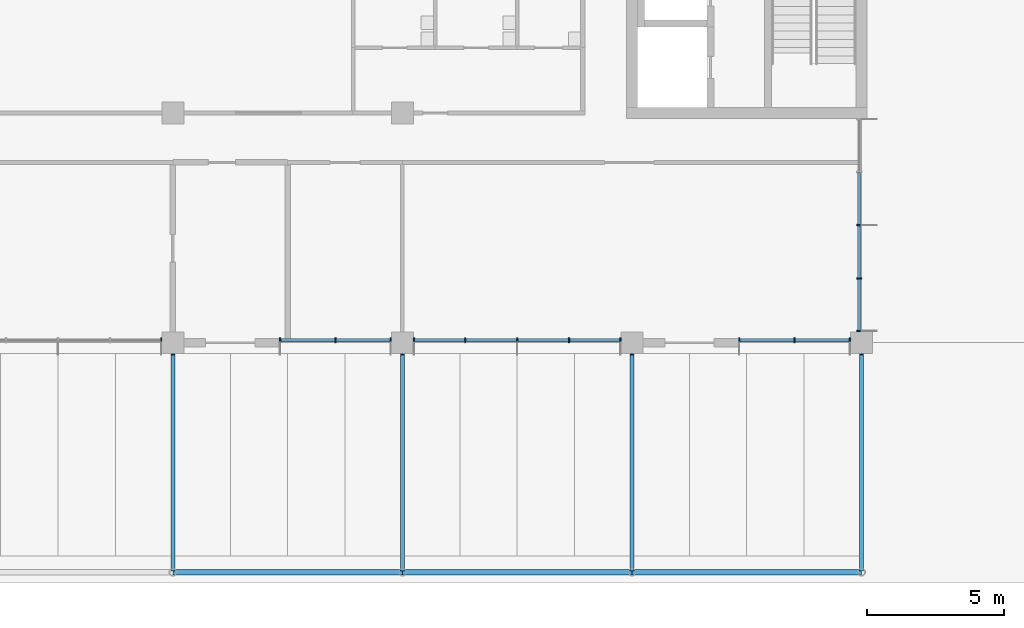
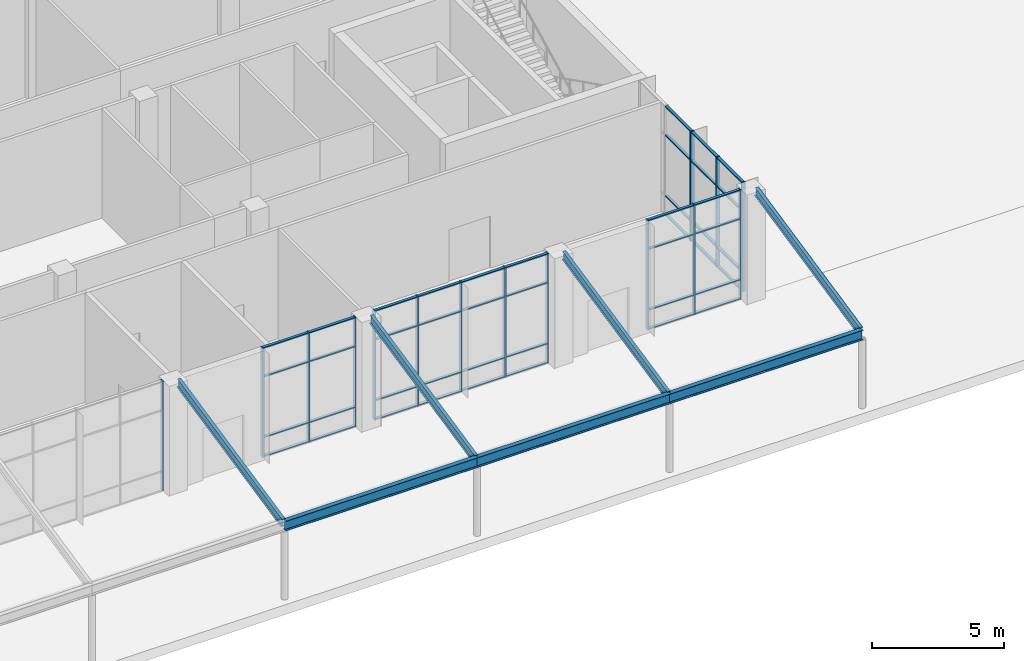
# One storey, part 16 of 76: 59 members, 7 beams, 5 elements without a shape of their own.
"""IFC4 building model written with IfcOpenShell, lengths in metres."""

from ifc_helpers import new_model, si_unit, direction, frame, origin, origin_2d, place, context, subcontext, project, spatial, rectangle, i_section, extrude, material, material_profile, profile_set, type_object, element, aggregate, save


model = new_model("IFC4")

# Units and contexts
model_context = context("Model", 3, precision=1e-05, world=origin(), true_north=direction((0.0, 1.0)))
body_context = subcontext(model_context, "Body", "Model", "MODEL_VIEW")
ifc_project = project(units=[si_unit("LENGTHUNIT", "METRE"), si_unit("AREAUNIT", "SQUARE_METRE"), si_unit("VOLUMEUNIT", "CUBIC_METRE"), si_unit("PLANEANGLEUNIT", "RADIAN"), si_unit("MASSUNIT", "GRAM", prefix="KILO")], contexts=[model_context])

# Site, building, storey
site_placement = place(None, origin())
site = spatial("IfcSite", under=ifc_project, at=site_placement, CompositionType="ELEMENT")
building_placement = place(site_placement, origin())
building = spatial("IfcBuilding", under=site, at=building_placement, Name="Hlaing Beacon Police Headquarters", CompositionType="ELEMENT")
storey_placement = place(building_placement, origin())
storey = spatial("IfcBuildingStorey", under=building, at=storey_placement, Name="L00", CompositionType="ELEMENT", Elevation=0.0)

# Beams
ifc_material_1 = material(Name="Steel ASTM A992 Grade 50", Category="steel")
ifc_material_profile_1 = material_profile(ifc_material_1, i_section(OverallWidth=0.1904296875, OverallDepth=0.457275390625, WebThickness=0.009033203125, FlangeThickness=0.014404296875, FilletRadius=0.01025390625, at=origin_2d()), Name="W18x50")
ifc_profile_set_1 = profile_set([ifc_material_profile_1], Name="Steel ASTM A992 Grade 50")
beam_type_1 = type_object("IfcBeamType", Name="Colonnade head beam W18x50", PredefinedType="BEAM", material=ifc_profile_set_1)
for number, where, z_axis, x_axis, name in (
    (1, (33.60009765625, 0.0, 3.371337890625), (1.0, 0.0, 0.0), (0.0, 1.0, 0.0), "STR-CL-CL1-HB04"),
    (2, (42.0, 0.0, 3.371337890625), (1.0, 0.0, 0.0), (0.0, 1.0, 0.0), "STR-CL-CL1-HB05"),
):
    element("IfcBeam", number, at=place(storey_placement, frame(where, z_axis=z_axis, x_axis=x_axis)), inside=storey, type_object=beam_type_1, Name=name, PredefinedType="BEAM", context=body_context, shape_type="SweptSolid", body=[
        extrude(i_section(OverallWidth=0.1904296875, OverallDepth=0.457275390625, WebThickness=0.009033203125, FlangeThickness=0.014404296875, FilletRadius=0.01025390625, at=origin_2d()), origin(), (0.0, 0.0, 1.0), 8.39990234375),
    ])
beam_placement = place(storey_placement, frame((50.39990234375, 0.0, 3.371337890625), z_axis=(1.0, 0.0, 0.0), x_axis=(0.0, 1.0, 0.0)))
element("IfcBeam", 3, at=beam_placement, inside=storey, type_object=beam_type_1, Name="STR-CL-CL1-HB06", PredefinedType="BEAM", context=body_context, shape_type="SweptSolid", body=[
    extrude(i_section(OverallWidth=0.1904296875, OverallDepth=0.457275390625, WebThickness=0.009033203125, FlangeThickness=0.014404296875, FilletRadius=0.01025390625, at=origin_2d()), origin(), (0.0, 0.0, 1.0), 8.400146484375),
])
ifc_material_2 = material(Name="Steel ASTM A992 Grade 50", Category="steel")
ifc_material_profile_2 = material_profile(ifc_material_2, i_section(OverallWidth=0.140380859375, OverallDepth=0.40380859375, WebThickness=0.007080078125, FlangeThickness=0.01123046875, FilletRadius=0.01025390625, at=origin_2d()), Name="W16x31")
ifc_profile_set_2 = profile_set([ifc_material_profile_2], Name="Steel ASTM A992 Grade 50")
beam_type_2 = type_object("IfcBeamType", Name="Colonnade rafter W16x31", PredefinedType="BEAM", material=ifc_profile_set_2)
for number, where, z_axis, x_axis, name in (
    (4, (33.60009765625, 0.09521484375, 3.413818359375), (0.0, 0.97779711045, 0.209553837464), (-1.0, 0.0, 0.0), "STR-CL-CL1-RF04"),
    (5, (42.0, 0.09521484375, 3.413818359375), (0.0, 0.97779711045, 0.209553837464), (-1.0, 0.0, 0.0), "STR-CL-CL1-RF05"),
    (6, (50.39990234375, 0.09521484375, 3.413818359375), (0.0, 0.97779711045, 0.209553837464), (-1.0, 0.0, 0.0), "STR-CL-CL1-RF06"),
    (7, (58.800048828125, 0.09521484375, 3.413818359375), (0.0, 0.97779711045, 0.209553837464), (-1.0, 0.0, 0.0), "STR-CL-CL1-RF07"),
):
    element("IfcBeam", number, at=place(storey_placement, frame(where, z_axis=z_axis, x_axis=x_axis)), inside=storey, type_object=beam_type_2, Name=name, PredefinedType="BEAM", context=body_context, shape_type="SweptSolid", body=[
        extrude(i_section(OverallWidth=0.140380859375, OverallDepth=0.40380859375, WebThickness=0.007080078125, FlangeThickness=0.01123046875, FilletRadius=0.01025390625, at=origin_2d()), origin(), (0.0, 0.0, 1.0), 8.084228515625),
    ])

# Curtain wall, members
ifc_material_3 = material(Name="Aluminium frame with solar control glazing", Category="aluminium")
curtain_wall_type_1 = type_object("IfcCurtainWallType", Name="Shopfront glazing 7.80 x 5.05", PredefinedType="NOTDEFINED", material=ifc_material_3)
curtain_wall_1_placement = place(storey_placement, origin())
curtain_wall_1 = element("IfcCurtainWall", 8, at=curtain_wall_1_placement, inside=storey, type_object=curtain_wall_type_1, Name="ENV-CW-L00-E001", PredefinedType="NOTDEFINED")
ifc_material_4 = material(Name="Aluminium", Category="aluminium")
ifc_material_profile_3 = material_profile(ifc_material_4, rectangle(XDim=0.179931640625, YDim=0.050048828125, at=origin_2d()), Name="Mullion 50x180")
ifc_profile_set_3 = profile_set([ifc_material_profile_3], Name="Aluminium")
member_type_1 = type_object("IfcMemberType", Name="Mullion 50x180", PredefinedType="MULLION", material=ifc_profile_set_3)
member_1_placement = place(storey_placement, frame((58.7099609375, 8.824951171875, 0.0), z_axis=(0.0, 0.0, 1.0), x_axis=(-1.0, 0.0, 0.0)))
member_1 = element("IfcMember", 9, at=member_1_placement, type_object=member_type_1, Name="CW-L00-E001 mullion 1", PredefinedType="MULLION", context=body_context, shape_type="SweptSolid", body=[
    extrude(rectangle(XDim=0.179931640625, YDim=0.050048828125, at=origin_2d()), origin(), (0.0, 0.0, 1.0), 5.050048828125),
])
member_2_placement = place(storey_placement, frame((58.7099609375, 10.75, 0.0), z_axis=(0.0, 0.0, 1.0), x_axis=(-1.0, 0.0, 0.0)))
member_2 = element("IfcMember", 10, at=member_2_placement, type_object=member_type_1, Name="CW-L00-E001 mullion 2", PredefinedType="MULLION", context=body_context, shape_type="SweptSolid", body=[
    extrude(rectangle(XDim=0.179931640625, YDim=0.050048828125, at=origin_2d()), origin(), (0.0, 0.0, 1.0), 5.050048828125),
])
member_3_placement = place(storey_placement, frame((58.7099609375, 12.699951171875, 0.0), z_axis=(0.0, 0.0, 1.0), x_axis=(-1.0, 0.0, 0.0)))
member_3 = element("IfcMember", 11, at=member_3_placement, type_object=member_type_1, Name="CW-L00-E001 mullion 3", PredefinedType="MULLION", context=body_context, shape_type="SweptSolid", body=[
    extrude(rectangle(XDim=0.179931640625, YDim=0.050048828125, at=origin_2d()), origin(), (0.0, 0.0, 1.0), 5.050048828125),
])

# Curtain wall, member
ifc_material_5 = material(Name="Aluminium frame with solar control glazing", Category="aluminium")
curtain_wall_type_2 = type_object("IfcCurtainWallType", Name="Shopfront glazing 7.60 x 5.05", PredefinedType="NOTDEFINED", material=ifc_material_5)
curtain_wall_2_placement = place(storey_placement, origin())
curtain_wall_2 = element("IfcCurtainWall", 12, at=curtain_wall_2_placement, inside=storey, type_object=curtain_wall_type_2, Name="ENV-CW-L00-S005", PredefinedType="NOTDEFINED")
member_4_placement = place(storey_placement, frame((33.175048828125, 8.489990234375, 0.0), z_axis=(0.0, 0.0, 1.0), x_axis=(0.0, 1.0, 0.0)))
member_4 = element("IfcMember", 13, at=member_4_placement, type_object=member_type_1, Name="CW-L00-S005 mullion 5", PredefinedType="MULLION", context=body_context, shape_type="SweptSolid", body=[
    extrude(rectangle(XDim=0.179931640625, YDim=0.050048828125, at=origin_2d()), origin(), (0.0, 0.0, 1.0), 5.050048828125),
])
aggregate(curtain_wall_2, [member_4])

# Curtain wall, members
ifc_material_6 = material(Name="Aluminium frame with solar control glazing", Category="aluminium")
curtain_wall_type_3 = type_object("IfcCurtainWallType", Name="Shopfront glazing 4.10 x 5.05", PredefinedType="NOTDEFINED", material=ifc_material_6)
curtain_wall_3_placement = place(storey_placement, origin())
curtain_wall_3 = element("IfcCurtainWall", 14, at=curtain_wall_3_placement, inside=storey, type_object=curtain_wall_type_3, Name="ENV-CW-L00-S006", PredefinedType="NOTDEFINED")
member_5_placement = place(storey_placement, frame((37.52490234375, 8.489990234375, 0.0), z_axis=(0.0, 0.0, 1.0), x_axis=(0.0, 1.0, 0.0)))
member_5 = element("IfcMember", 15, at=member_5_placement, type_object=member_type_1, Name="CW-L00-S006 mullion 1", PredefinedType="MULLION", context=body_context, shape_type="SweptSolid", body=[
    extrude(rectangle(XDim=0.179931640625, YDim=0.050048828125, at=origin_2d()), origin(), (0.0, 0.0, 1.0), 5.050048828125),
])
member_6_placement = place(storey_placement, frame((39.550048828125, 8.489990234375, 0.0), z_axis=(0.0, 0.0, 1.0), x_axis=(0.0, 1.0, 0.0)))
member_6 = element("IfcMember", 16, at=member_6_placement, type_object=member_type_1, Name="CW-L00-S006 mullion 2", PredefinedType="MULLION", context=body_context, shape_type="SweptSolid", body=[
    extrude(rectangle(XDim=0.179931640625, YDim=0.050048828125, at=origin_2d()), origin(), (0.0, 0.0, 1.0), 5.050048828125),
])
member_7_placement = place(storey_placement, frame((41.574951171875, 8.489990234375, 0.0), z_axis=(0.0, 0.0, 1.0), x_axis=(0.0, 1.0, 0.0)))
member_7 = element("IfcMember", 17, at=member_7_placement, type_object=member_type_1, Name="CW-L00-S006 mullion 3", PredefinedType="MULLION", context=body_context, shape_type="SweptSolid", body=[
    extrude(rectangle(XDim=0.179931640625, YDim=0.050048828125, at=origin_2d()), origin(), (0.0, 0.0, 1.0), 5.050048828125),
])

curtain_wall_4_placement = place(storey_placement, origin())
curtain_wall_4 = element("IfcCurtainWall", 18, at=curtain_wall_4_placement, inside=storey, type_object=curtain_wall_type_2, Name="ENV-CW-L00-S007", PredefinedType="NOTDEFINED")
member_8_placement = place(storey_placement, frame((42.425048828125, 8.489990234375, 0.0), z_axis=(0.0, 0.0, 1.0), x_axis=(0.0, 1.0, 0.0)))
member_8 = element("IfcMember", 19, at=member_8_placement, type_object=member_type_1, Name="CW-L00-S007 mullion 1", PredefinedType="MULLION", context=body_context, shape_type="SweptSolid", body=[
    extrude(rectangle(XDim=0.179931640625, YDim=0.050048828125, at=origin_2d()), origin(), (0.0, 0.0, 1.0), 5.050048828125),
])
member_9_placement = place(storey_placement, frame((44.300048828125, 8.489990234375, 0.0), z_axis=(0.0, 0.0, 1.0), x_axis=(0.0, 1.0, 0.0)))
member_9 = element("IfcMember", 20, at=member_9_placement, type_object=member_type_1, Name="CW-L00-S007 mullion 2", PredefinedType="MULLION", context=body_context, shape_type="SweptSolid", body=[
    extrude(rectangle(XDim=0.179931640625, YDim=0.050048828125, at=origin_2d()), origin(), (0.0, 0.0, 1.0), 5.050048828125),
])
member_10_placement = place(storey_placement, frame((46.199951171875, 8.489990234375, 0.0), z_axis=(0.0, 0.0, 1.0), x_axis=(0.0, 1.0, 0.0)))
member_10 = element("IfcMember", 21, at=member_10_placement, type_object=member_type_1, Name="CW-L00-S007 mullion 3", PredefinedType="MULLION", context=body_context, shape_type="SweptSolid", body=[
    extrude(rectangle(XDim=0.179931640625, YDim=0.050048828125, at=origin_2d()), origin(), (0.0, 0.0, 1.0), 5.050048828125),
])
member_11_placement = place(storey_placement, frame((48.10009765625, 8.489990234375, 0.0), z_axis=(0.0, 0.0, 1.0), x_axis=(0.0, 1.0, 0.0)))
member_11 = element("IfcMember", 22, at=member_11_placement, type_object=member_type_1, Name="CW-L00-S007 mullion 4", PredefinedType="MULLION", context=body_context, shape_type="SweptSolid", body=[
    extrude(rectangle(XDim=0.179931640625, YDim=0.050048828125, at=origin_2d()), origin(), (0.0, 0.0, 1.0), 5.050048828125),
])
member_12_placement = place(storey_placement, frame((49.97509765625, 8.489990234375, 0.0), z_axis=(0.0, 0.0, 1.0), x_axis=(0.0, 1.0, 0.0)))
member_12 = element("IfcMember", 23, at=member_12_placement, type_object=member_type_1, Name="CW-L00-S007 mullion 5", PredefinedType="MULLION", context=body_context, shape_type="SweptSolid", body=[
    extrude(rectangle(XDim=0.179931640625, YDim=0.050048828125, at=origin_2d()), origin(), (0.0, 0.0, 1.0), 5.050048828125),
])

curtain_wall_5_placement = place(storey_placement, origin())
curtain_wall_5 = element("IfcCurtainWall", 24, at=curtain_wall_5_placement, inside=storey, type_object=curtain_wall_type_3, Name="ENV-CW-L00-S008", PredefinedType="NOTDEFINED")
member_13_placement = place(storey_placement, frame((54.324951171875, 8.489990234375, 0.0), z_axis=(0.0, 0.0, 1.0), x_axis=(0.0, 1.0, 0.0)))
member_13 = element("IfcMember", 25, at=member_13_placement, type_object=member_type_1, Name="CW-L00-S008 mullion 1", PredefinedType="MULLION", context=body_context, shape_type="SweptSolid", body=[
    extrude(rectangle(XDim=0.179931640625, YDim=0.050048828125, at=origin_2d()), origin(), (0.0, 0.0, 1.0), 5.050048828125),
])
member_14_placement = place(storey_placement, frame((56.35009765625, 8.489990234375, 0.0), z_axis=(0.0, 0.0, 1.0), x_axis=(0.0, 1.0, 0.0)))
member_14 = element("IfcMember", 26, at=member_14_placement, type_object=member_type_1, Name="CW-L00-S008 mullion 2", PredefinedType="MULLION", context=body_context, shape_type="SweptSolid", body=[
    extrude(rectangle(XDim=0.179931640625, YDim=0.050048828125, at=origin_2d()), origin(), (0.0, 0.0, 1.0), 5.050048828125),
])
member_15_placement = place(storey_placement, frame((58.375, 8.489990234375, 0.0), z_axis=(0.0, 0.0, 1.0), x_axis=(0.0, 1.0, 0.0)))
member_15 = element("IfcMember", 27, at=member_15_placement, type_object=member_type_1, Name="CW-L00-S008 mullion 3", PredefinedType="MULLION", context=body_context, shape_type="SweptSolid", body=[
    extrude(rectangle(XDim=0.179931640625, YDim=0.050048828125, at=origin_2d()), origin(), (0.0, 0.0, 1.0), 5.050048828125),
])

# Member
ifc_material_7 = material(Name="Aluminium", Category="aluminium")
ifc_material_profile_4 = material_profile(ifc_material_7, rectangle(XDim=0.1201171875, YDim=0.050048828125, at=origin_2d()), Name="Transom 120x50")
ifc_profile_set_4 = profile_set([ifc_material_profile_4], Name="Aluminium")
member_type_2 = type_object("IfcMemberType", Name="Transom 120x50", PredefinedType="USERDEFINED", material=ifc_profile_set_4)
member_16_placement = place(storey_placement, frame((58.7099609375, 8.85009765625, 0.02490234375), z_axis=(0.0, 1.0, 0.0), x_axis=(-1.0, 0.0, 0.0)))
member_16 = element("IfcMember", 28, at=member_16_placement, type_object=member_type_2, Name="CW-L00-E001 transom 1.1", ObjectType="TRANSOM", PredefinedType="USERDEFINED", context=body_context, shape_type="SweptSolid", body=[
    extrude(rectangle(XDim=0.1201171875, YDim=0.050048828125, at=origin_2d()), origin(), (0.0, 0.0, 1.0), 1.875),
])

member_17_placement = place(storey_placement, frame((58.7099609375, 8.85009765625, 0.89990234375), z_axis=(0.0, 1.0, 0.0), x_axis=(-1.0, 0.0, 0.0)))
member_17 = element("IfcMember", 29, at=member_17_placement, type_object=member_type_2, Name="CW-L00-E001 transom 1.2", ObjectType="TRANSOM", PredefinedType="USERDEFINED", context=body_context, shape_type="SweptSolid", body=[
    extrude(rectangle(XDim=0.1201171875, YDim=0.050048828125, at=origin_2d()), origin(), (0.0, 0.0, 1.0), 1.875),
])

member_18_placement = place(storey_placement, frame((58.7099609375, 8.85009765625, 3.699951171875), z_axis=(0.0, 1.0, 0.0), x_axis=(-1.0, 0.0, 0.0)))
member_18 = element("IfcMember", 30, at=member_18_placement, type_object=member_type_2, Name="CW-L00-E001 transom 1.3", ObjectType="TRANSOM", PredefinedType="USERDEFINED", context=body_context, shape_type="SweptSolid", body=[
    extrude(rectangle(XDim=0.1201171875, YDim=0.050048828125, at=origin_2d()), origin(), (0.0, 0.0, 1.0), 1.875),
])

member_19_placement = place(storey_placement, frame((58.7099609375, 8.85009765625, 5.02490234375), z_axis=(0.0, 1.0, 0.0), x_axis=(-1.0, 0.0, 0.0)))
member_19 = element("IfcMember", 31, at=member_19_placement, type_object=member_type_2, Name="CW-L00-E001 transom 1.4", ObjectType="TRANSOM", PredefinedType="USERDEFINED", context=body_context, shape_type="SweptSolid", body=[
    extrude(rectangle(XDim=0.1201171875, YDim=0.050048828125, at=origin_2d()), origin(), (0.0, 0.0, 1.0), 1.875),
])

member_20_placement = place(storey_placement, frame((58.7099609375, 10.77490234375, 0.02490234375), z_axis=(0.0, 1.0, 0.0), x_axis=(-1.0, 0.0, 0.0)))
member_20 = element("IfcMember", 32, at=member_20_placement, type_object=member_type_2, Name="CW-L00-E001 transom 2.1", ObjectType="TRANSOM", PredefinedType="USERDEFINED", context=body_context, shape_type="SweptSolid", body=[
    extrude(rectangle(XDim=0.1201171875, YDim=0.050048828125, at=origin_2d()), origin(), (0.0, 0.0, 1.0), 1.900146484375),
])

member_21_placement = place(storey_placement, frame((58.7099609375, 10.77490234375, 0.89990234375), z_axis=(0.0, 1.0, 0.0), x_axis=(-1.0, 0.0, 0.0)))
member_21 = element("IfcMember", 33, at=member_21_placement, type_object=member_type_2, Name="CW-L00-E001 transom 2.2", ObjectType="TRANSOM", PredefinedType="USERDEFINED", context=body_context, shape_type="SweptSolid", body=[
    extrude(rectangle(XDim=0.1201171875, YDim=0.050048828125, at=origin_2d()), origin(), (0.0, 0.0, 1.0), 1.900146484375),
])

member_22_placement = place(storey_placement, frame((58.7099609375, 10.77490234375, 3.699951171875), z_axis=(0.0, 1.0, 0.0), x_axis=(-1.0, 0.0, 0.0)))
member_22 = element("IfcMember", 34, at=member_22_placement, type_object=member_type_2, Name="CW-L00-E001 transom 2.3", ObjectType="TRANSOM", PredefinedType="USERDEFINED", context=body_context, shape_type="SweptSolid", body=[
    extrude(rectangle(XDim=0.1201171875, YDim=0.050048828125, at=origin_2d()), origin(), (0.0, 0.0, 1.0), 1.900146484375),
])

member_23_placement = place(storey_placement, frame((58.7099609375, 10.77490234375, 5.02490234375), z_axis=(0.0, 1.0, 0.0), x_axis=(-1.0, 0.0, 0.0)))
member_23 = element("IfcMember", 35, at=member_23_placement, type_object=member_type_2, Name="CW-L00-E001 transom 2.4", ObjectType="TRANSOM", PredefinedType="USERDEFINED", context=body_context, shape_type="SweptSolid", body=[
    extrude(rectangle(XDim=0.1201171875, YDim=0.050048828125, at=origin_2d()), origin(), (0.0, 0.0, 1.0), 1.900146484375),
])

member_24_placement = place(storey_placement, frame((58.7099609375, 12.72509765625, 0.02490234375), z_axis=(0.0, 1.0, 0.0), x_axis=(-1.0, 0.0, 0.0)))
member_24 = element("IfcMember", 36, at=member_24_placement, type_object=member_type_2, Name="CW-L00-E001 transom 3.1", ObjectType="TRANSOM", PredefinedType="USERDEFINED", context=body_context, shape_type="SweptSolid", body=[
    extrude(rectangle(XDim=0.1201171875, YDim=0.050048828125, at=origin_2d()), origin(), (0.0, 0.0, 1.0), 1.89990234375),
])

member_25_placement = place(storey_placement, frame((58.7099609375, 12.72509765625, 0.89990234375), z_axis=(0.0, 1.0, 0.0), x_axis=(-1.0, 0.0, 0.0)))
member_25 = element("IfcMember", 37, at=member_25_placement, type_object=member_type_2, Name="CW-L00-E001 transom 3.2", ObjectType="TRANSOM", PredefinedType="USERDEFINED", context=body_context, shape_type="SweptSolid", body=[
    extrude(rectangle(XDim=0.1201171875, YDim=0.050048828125, at=origin_2d()), origin(), (0.0, 0.0, 1.0), 1.89990234375),
])

member_26_placement = place(storey_placement, frame((58.7099609375, 12.72509765625, 3.699951171875), z_axis=(0.0, 1.0, 0.0), x_axis=(-1.0, 0.0, 0.0)))
member_26 = element("IfcMember", 38, at=member_26_placement, type_object=member_type_2, Name="CW-L00-E001 transom 3.3", ObjectType="TRANSOM", PredefinedType="USERDEFINED", context=body_context, shape_type="SweptSolid", body=[
    extrude(rectangle(XDim=0.1201171875, YDim=0.050048828125, at=origin_2d()), origin(), (0.0, 0.0, 1.0), 1.89990234375),
])

member_27_placement = place(storey_placement, frame((58.7099609375, 12.72509765625, 5.02490234375), z_axis=(0.0, 1.0, 0.0), x_axis=(-1.0, 0.0, 0.0)))
member_27 = element("IfcMember", 39, at=member_27_placement, type_object=member_type_2, Name="CW-L00-E001 transom 3.4", ObjectType="TRANSOM", PredefinedType="USERDEFINED", context=body_context, shape_type="SweptSolid", body=[
    extrude(rectangle(XDim=0.1201171875, YDim=0.050048828125, at=origin_2d()), origin(), (0.0, 0.0, 1.0), 1.89990234375),
])

aggregate(curtain_wall_1, [member_1, member_2, member_3, member_16, member_17, member_18, member_19, member_20, member_21, member_22, member_23, member_24, member_25, member_26, member_27])

member_28_placement = place(storey_placement, frame((37.550048828125, 8.489990234375, 0.02490234375), z_axis=(1.0, 0.0, 0.0), x_axis=(0.0, 1.0, 0.0)))
member_28 = element("IfcMember", 40, at=member_28_placement, type_object=member_type_2, Name="CW-L00-S006 transom 1.1", ObjectType="TRANSOM", PredefinedType="USERDEFINED", context=body_context, shape_type="SweptSolid", body=[
    extrude(rectangle(XDim=0.1201171875, YDim=0.050048828125, at=origin_2d()), origin(), (0.0, 0.0, 1.0), 1.974853515625),
])

member_29_placement = place(storey_placement, frame((37.550048828125, 8.489990234375, 0.89990234375), z_axis=(1.0, 0.0, 0.0), x_axis=(0.0, 1.0, 0.0)))
member_29 = element("IfcMember", 41, at=member_29_placement, type_object=member_type_2, Name="CW-L00-S006 transom 1.2", ObjectType="TRANSOM", PredefinedType="USERDEFINED", context=body_context, shape_type="SweptSolid", body=[
    extrude(rectangle(XDim=0.1201171875, YDim=0.050048828125, at=origin_2d()), origin(), (0.0, 0.0, 1.0), 1.974853515625),
])

member_30_placement = place(storey_placement, frame((37.550048828125, 8.489990234375, 3.699951171875), z_axis=(1.0, 0.0, 0.0), x_axis=(0.0, 1.0, 0.0)))
member_30 = element("IfcMember", 42, at=member_30_placement, type_object=member_type_2, Name="CW-L00-S006 transom 1.3", ObjectType="TRANSOM", PredefinedType="USERDEFINED", context=body_context, shape_type="SweptSolid", body=[
    extrude(rectangle(XDim=0.1201171875, YDim=0.050048828125, at=origin_2d()), origin(), (0.0, 0.0, 1.0), 1.974853515625),
])

member_31_placement = place(storey_placement, frame((37.550048828125, 8.489990234375, 5.02490234375), z_axis=(1.0, 0.0, 0.0), x_axis=(0.0, 1.0, 0.0)))
member_31 = element("IfcMember", 43, at=member_31_placement, type_object=member_type_2, Name="CW-L00-S006 transom 1.4", ObjectType="TRANSOM", PredefinedType="USERDEFINED", context=body_context, shape_type="SweptSolid", body=[
    extrude(rectangle(XDim=0.1201171875, YDim=0.050048828125, at=origin_2d()), origin(), (0.0, 0.0, 1.0), 1.974853515625),
])

member_32_placement = place(storey_placement, frame((39.574951171875, 8.489990234375, 0.02490234375), z_axis=(1.0, 0.0, 0.0), x_axis=(0.0, 1.0, 0.0)))
member_32 = element("IfcMember", 44, at=member_32_placement, type_object=member_type_2, Name="CW-L00-S006 transom 2.1", ObjectType="TRANSOM", PredefinedType="USERDEFINED", context=body_context, shape_type="SweptSolid", body=[
    extrude(rectangle(XDim=0.1201171875, YDim=0.050048828125, at=origin_2d()), origin(), (0.0, 0.0, 1.0), 1.97509765625),
])

member_33_placement = place(storey_placement, frame((39.574951171875, 8.489990234375, 0.89990234375), z_axis=(1.0, 0.0, 0.0), x_axis=(0.0, 1.0, 0.0)))
member_33 = element("IfcMember", 45, at=member_33_placement, type_object=member_type_2, Name="CW-L00-S006 transom 2.2", ObjectType="TRANSOM", PredefinedType="USERDEFINED", context=body_context, shape_type="SweptSolid", body=[
    extrude(rectangle(XDim=0.1201171875, YDim=0.050048828125, at=origin_2d()), origin(), (0.0, 0.0, 1.0), 1.97509765625),
])

member_34_placement = place(storey_placement, frame((39.574951171875, 8.489990234375, 3.699951171875), z_axis=(1.0, 0.0, 0.0), x_axis=(0.0, 1.0, 0.0)))
member_34 = element("IfcMember", 46, at=member_34_placement, type_object=member_type_2, Name="CW-L00-S006 transom 2.3", ObjectType="TRANSOM", PredefinedType="USERDEFINED", context=body_context, shape_type="SweptSolid", body=[
    extrude(rectangle(XDim=0.1201171875, YDim=0.050048828125, at=origin_2d()), origin(), (0.0, 0.0, 1.0), 1.97509765625),
])

member_35_placement = place(storey_placement, frame((39.574951171875, 8.489990234375, 5.02490234375), z_axis=(1.0, 0.0, 0.0), x_axis=(0.0, 1.0, 0.0)))
member_35 = element("IfcMember", 47, at=member_35_placement, type_object=member_type_2, Name="CW-L00-S006 transom 2.4", ObjectType="TRANSOM", PredefinedType="USERDEFINED", context=body_context, shape_type="SweptSolid", body=[
    extrude(rectangle(XDim=0.1201171875, YDim=0.050048828125, at=origin_2d()), origin(), (0.0, 0.0, 1.0), 1.97509765625),
])

aggregate(curtain_wall_3, [member_5, member_6, member_7, member_28, member_29, member_30, member_31, member_32, member_33, member_34, member_35])

member_36_placement = place(storey_placement, frame((42.449951171875, 8.489990234375, 0.02490234375), z_axis=(1.0, 0.0, 0.0), x_axis=(0.0, 1.0, 0.0)))
member_36 = element("IfcMember", 48, at=member_36_placement, type_object=member_type_2, Name="CW-L00-S007 transom 1.1", ObjectType="TRANSOM", PredefinedType="USERDEFINED", context=body_context, shape_type="SweptSolid", body=[
    extrude(rectangle(XDim=0.1201171875, YDim=0.050048828125, at=origin_2d()), origin(), (0.0, 0.0, 1.0), 1.824951171875),
])

member_37_placement = place(storey_placement, frame((42.449951171875, 8.489990234375, 0.89990234375), z_axis=(1.0, 0.0, 0.0), x_axis=(0.0, 1.0, 0.0)))
member_37 = element("IfcMember", 49, at=member_37_placement, type_object=member_type_2, Name="CW-L00-S007 transom 1.2", ObjectType="TRANSOM", PredefinedType="USERDEFINED", context=body_context, shape_type="SweptSolid", body=[
    extrude(rectangle(XDim=0.1201171875, YDim=0.050048828125, at=origin_2d()), origin(), (0.0, 0.0, 1.0), 1.824951171875),
])

member_38_placement = place(storey_placement, frame((42.449951171875, 8.489990234375, 3.699951171875), z_axis=(1.0, 0.0, 0.0), x_axis=(0.0, 1.0, 0.0)))
member_38 = element("IfcMember", 50, at=member_38_placement, type_object=member_type_2, Name="CW-L00-S007 transom 1.3", ObjectType="TRANSOM", PredefinedType="USERDEFINED", context=body_context, shape_type="SweptSolid", body=[
    extrude(rectangle(XDim=0.1201171875, YDim=0.050048828125, at=origin_2d()), origin(), (0.0, 0.0, 1.0), 1.824951171875),
])

member_39_placement = place(storey_placement, frame((42.449951171875, 8.489990234375, 5.02490234375), z_axis=(1.0, 0.0, 0.0), x_axis=(0.0, 1.0, 0.0)))
member_39 = element("IfcMember", 51, at=member_39_placement, type_object=member_type_2, Name="CW-L00-S007 transom 1.4", ObjectType="TRANSOM", PredefinedType="USERDEFINED", context=body_context, shape_type="SweptSolid", body=[
    extrude(rectangle(XDim=0.1201171875, YDim=0.050048828125, at=origin_2d()), origin(), (0.0, 0.0, 1.0), 1.824951171875),
])

member_40_placement = place(storey_placement, frame((44.324951171875, 8.489990234375, 0.02490234375), z_axis=(1.0, 0.0, 0.0), x_axis=(0.0, 1.0, 0.0)))
member_40 = element("IfcMember", 52, at=member_40_placement, type_object=member_type_2, Name="CW-L00-S007 transom 2.1", ObjectType="TRANSOM", PredefinedType="USERDEFINED", context=body_context, shape_type="SweptSolid", body=[
    extrude(rectangle(XDim=0.1201171875, YDim=0.050048828125, at=origin_2d()), origin(), (0.0, 0.0, 1.0), 1.85009765625),
])

member_41_placement = place(storey_placement, frame((44.324951171875, 8.489990234375, 0.89990234375), z_axis=(1.0, 0.0, 0.0), x_axis=(0.0, 1.0, 0.0)))
member_41 = element("IfcMember", 53, at=member_41_placement, type_object=member_type_2, Name="CW-L00-S007 transom 2.2", ObjectType="TRANSOM", PredefinedType="USERDEFINED", context=body_context, shape_type="SweptSolid", body=[
    extrude(rectangle(XDim=0.1201171875, YDim=0.050048828125, at=origin_2d()), origin(), (0.0, 0.0, 1.0), 1.85009765625),
])

member_42_placement = place(storey_placement, frame((44.324951171875, 8.489990234375, 3.699951171875), z_axis=(1.0, 0.0, 0.0), x_axis=(0.0, 1.0, 0.0)))
member_42 = element("IfcMember", 54, at=member_42_placement, type_object=member_type_2, Name="CW-L00-S007 transom 2.3", ObjectType="TRANSOM", PredefinedType="USERDEFINED", context=body_context, shape_type="SweptSolid", body=[
    extrude(rectangle(XDim=0.1201171875, YDim=0.050048828125, at=origin_2d()), origin(), (0.0, 0.0, 1.0), 1.85009765625),
])

member_43_placement = place(storey_placement, frame((44.324951171875, 8.489990234375, 5.02490234375), z_axis=(1.0, 0.0, 0.0), x_axis=(0.0, 1.0, 0.0)))
member_43 = element("IfcMember", 55, at=member_43_placement, type_object=member_type_2, Name="CW-L00-S007 transom 2.4", ObjectType="TRANSOM", PredefinedType="USERDEFINED", context=body_context, shape_type="SweptSolid", body=[
    extrude(rectangle(XDim=0.1201171875, YDim=0.050048828125, at=origin_2d()), origin(), (0.0, 0.0, 1.0), 1.85009765625),
])

member_44_placement = place(storey_placement, frame((46.22509765625, 8.489990234375, 0.02490234375), z_axis=(1.0, 0.0, 0.0), x_axis=(0.0, 1.0, 0.0)))
member_44 = element("IfcMember", 56, at=member_44_placement, type_object=member_type_2, Name="CW-L00-S007 transom 3.1", ObjectType="TRANSOM", PredefinedType="USERDEFINED", context=body_context, shape_type="SweptSolid", body=[
    extrude(rectangle(XDim=0.1201171875, YDim=0.050048828125, at=origin_2d()), origin(), (0.0, 0.0, 1.0), 1.849853515625),
])

member_45_placement = place(storey_placement, frame((46.22509765625, 8.489990234375, 0.89990234375), z_axis=(1.0, 0.0, 0.0), x_axis=(0.0, 1.0, 0.0)))
member_45 = element("IfcMember", 57, at=member_45_placement, type_object=member_type_2, Name="CW-L00-S007 transom 3.2", ObjectType="TRANSOM", PredefinedType="USERDEFINED", context=body_context, shape_type="SweptSolid", body=[
    extrude(rectangle(XDim=0.1201171875, YDim=0.050048828125, at=origin_2d()), origin(), (0.0, 0.0, 1.0), 1.849853515625),
])

member_46_placement = place(storey_placement, frame((46.22509765625, 8.489990234375, 3.699951171875), z_axis=(1.0, 0.0, 0.0), x_axis=(0.0, 1.0, 0.0)))
member_46 = element("IfcMember", 58, at=member_46_placement, type_object=member_type_2, Name="CW-L00-S007 transom 3.3", ObjectType="TRANSOM", PredefinedType="USERDEFINED", context=body_context, shape_type="SweptSolid", body=[
    extrude(rectangle(XDim=0.1201171875, YDim=0.050048828125, at=origin_2d()), origin(), (0.0, 0.0, 1.0), 1.849853515625),
])

member_47_placement = place(storey_placement, frame((46.22509765625, 8.489990234375, 5.02490234375), z_axis=(1.0, 0.0, 0.0), x_axis=(0.0, 1.0, 0.0)))
member_47 = element("IfcMember", 59, at=member_47_placement, type_object=member_type_2, Name="CW-L00-S007 transom 3.4", ObjectType="TRANSOM", PredefinedType="USERDEFINED", context=body_context, shape_type="SweptSolid", body=[
    extrude(rectangle(XDim=0.1201171875, YDim=0.050048828125, at=origin_2d()), origin(), (0.0, 0.0, 1.0), 1.849853515625),
])

member_48_placement = place(storey_placement, frame((48.125, 8.489990234375, 0.02490234375), z_axis=(1.0, 0.0, 0.0), x_axis=(0.0, 1.0, 0.0)))
member_48 = element("IfcMember", 60, at=member_48_placement, type_object=member_type_2, Name="CW-L00-S007 transom 4.1", ObjectType="TRANSOM", PredefinedType="USERDEFINED", context=body_context, shape_type="SweptSolid", body=[
    extrude(rectangle(XDim=0.1201171875, YDim=0.050048828125, at=origin_2d()), origin(), (0.0, 0.0, 1.0), 1.824951171875),
])

member_49_placement = place(storey_placement, frame((48.125, 8.489990234375, 0.89990234375), z_axis=(1.0, 0.0, 0.0), x_axis=(0.0, 1.0, 0.0)))
member_49 = element("IfcMember", 61, at=member_49_placement, type_object=member_type_2, Name="CW-L00-S007 transom 4.2", ObjectType="TRANSOM", PredefinedType="USERDEFINED", context=body_context, shape_type="SweptSolid", body=[
    extrude(rectangle(XDim=0.1201171875, YDim=0.050048828125, at=origin_2d()), origin(), (0.0, 0.0, 1.0), 1.824951171875),
])

member_50_placement = place(storey_placement, frame((48.125, 8.489990234375, 3.699951171875), z_axis=(1.0, 0.0, 0.0), x_axis=(0.0, 1.0, 0.0)))
member_50 = element("IfcMember", 62, at=member_50_placement, type_object=member_type_2, Name="CW-L00-S007 transom 4.3", ObjectType="TRANSOM", PredefinedType="USERDEFINED", context=body_context, shape_type="SweptSolid", body=[
    extrude(rectangle(XDim=0.1201171875, YDim=0.050048828125, at=origin_2d()), origin(), (0.0, 0.0, 1.0), 1.824951171875),
])

member_51_placement = place(storey_placement, frame((48.125, 8.489990234375, 5.02490234375), z_axis=(1.0, 0.0, 0.0), x_axis=(0.0, 1.0, 0.0)))
member_51 = element("IfcMember", 63, at=member_51_placement, type_object=member_type_2, Name="CW-L00-S007 transom 4.4", ObjectType="TRANSOM", PredefinedType="USERDEFINED", context=body_context, shape_type="SweptSolid", body=[
    extrude(rectangle(XDim=0.1201171875, YDim=0.050048828125, at=origin_2d()), origin(), (0.0, 0.0, 1.0), 1.824951171875),
])

aggregate(curtain_wall_4, [member_8, member_9, member_10, member_11, member_12, member_36, member_37, member_38, member_39, member_40, member_41, member_42, member_43, member_44, member_45, member_46, member_47, member_48, member_49, member_50, member_51])

member_52_placement = place(storey_placement, frame((54.35009765625, 8.489990234375, 0.02490234375), z_axis=(1.0, 0.0, 0.0), x_axis=(0.0, 1.0, 0.0)))
member_52 = element("IfcMember", 64, at=member_52_placement, type_object=member_type_2, Name="CW-L00-S008 transom 1.1", ObjectType="TRANSOM", PredefinedType="USERDEFINED", context=body_context, shape_type="SweptSolid", body=[
    extrude(rectangle(XDim=0.1201171875, YDim=0.050048828125, at=origin_2d()), origin(), (0.0, 0.0, 1.0), 1.974853515625),
])

member_53_placement = place(storey_placement, frame((54.35009765625, 8.489990234375, 0.89990234375), z_axis=(1.0, 0.0, 0.0), x_axis=(0.0, 1.0, 0.0)))
member_53 = element("IfcMember", 65, at=member_53_placement, type_object=member_type_2, Name="CW-L00-S008 transom 1.2", ObjectType="TRANSOM", PredefinedType="USERDEFINED", context=body_context, shape_type="SweptSolid", body=[
    extrude(rectangle(XDim=0.1201171875, YDim=0.050048828125, at=origin_2d()), origin(), (0.0, 0.0, 1.0), 1.974853515625),
])

member_54_placement = place(storey_placement, frame((54.35009765625, 8.489990234375, 3.699951171875), z_axis=(1.0, 0.0, 0.0), x_axis=(0.0, 1.0, 0.0)))
member_54 = element("IfcMember", 66, at=member_54_placement, type_object=member_type_2, Name="CW-L00-S008 transom 1.3", ObjectType="TRANSOM", PredefinedType="USERDEFINED", context=body_context, shape_type="SweptSolid", body=[
    extrude(rectangle(XDim=0.1201171875, YDim=0.050048828125, at=origin_2d()), origin(), (0.0, 0.0, 1.0), 1.974853515625),
])

member_55_placement = place(storey_placement, frame((54.35009765625, 8.489990234375, 5.02490234375), z_axis=(1.0, 0.0, 0.0), x_axis=(0.0, 1.0, 0.0)))
member_55 = element("IfcMember", 67, at=member_55_placement, type_object=member_type_2, Name="CW-L00-S008 transom 1.4", ObjectType="TRANSOM", PredefinedType="USERDEFINED", context=body_context, shape_type="SweptSolid", body=[
    extrude(rectangle(XDim=0.1201171875, YDim=0.050048828125, at=origin_2d()), origin(), (0.0, 0.0, 1.0), 1.974853515625),
])

member_56_placement = place(storey_placement, frame((56.375, 8.489990234375, 0.02490234375), z_axis=(1.0, 0.0, 0.0), x_axis=(0.0, 1.0, 0.0)))
member_56 = element("IfcMember", 68, at=member_56_placement, type_object=member_type_2, Name="CW-L00-S008 transom 2.1", ObjectType="TRANSOM", PredefinedType="USERDEFINED", context=body_context, shape_type="SweptSolid", body=[
    extrude(rectangle(XDim=0.1201171875, YDim=0.050048828125, at=origin_2d()), origin(), (0.0, 0.0, 1.0), 1.97509765625),
])

member_57_placement = place(storey_placement, frame((56.375, 8.489990234375, 0.89990234375), z_axis=(1.0, 0.0, 0.0), x_axis=(0.0, 1.0, 0.0)))
member_57 = element("IfcMember", 69, at=member_57_placement, type_object=member_type_2, Name="CW-L00-S008 transom 2.2", ObjectType="TRANSOM", PredefinedType="USERDEFINED", context=body_context, shape_type="SweptSolid", body=[
    extrude(rectangle(XDim=0.1201171875, YDim=0.050048828125, at=origin_2d()), origin(), (0.0, 0.0, 1.0), 1.97509765625),
])

member_58_placement = place(storey_placement, frame((56.375, 8.489990234375, 3.699951171875), z_axis=(1.0, 0.0, 0.0), x_axis=(0.0, 1.0, 0.0)))
member_58 = element("IfcMember", 70, at=member_58_placement, type_object=member_type_2, Name="CW-L00-S008 transom 2.3", ObjectType="TRANSOM", PredefinedType="USERDEFINED", context=body_context, shape_type="SweptSolid", body=[
    extrude(rectangle(XDim=0.1201171875, YDim=0.050048828125, at=origin_2d()), origin(), (0.0, 0.0, 1.0), 1.97509765625),
])

member_59_placement = place(storey_placement, frame((56.375, 8.489990234375, 5.02490234375), z_axis=(1.0, 0.0, 0.0), x_axis=(0.0, 1.0, 0.0)))
member_59 = element("IfcMember", 71, at=member_59_placement, type_object=member_type_2, Name="CW-L00-S008 transom 2.4", ObjectType="TRANSOM", PredefinedType="USERDEFINED", context=body_context, shape_type="SweptSolid", body=[
    extrude(rectangle(XDim=0.1201171875, YDim=0.050048828125, at=origin_2d()), origin(), (0.0, 0.0, 1.0), 1.97509765625),
])

aggregate(curtain_wall_5, [member_13, member_14, member_15, member_52, member_53, member_54, member_55, member_56, member_57, member_58, member_59])

save(model, "model.ifc")
